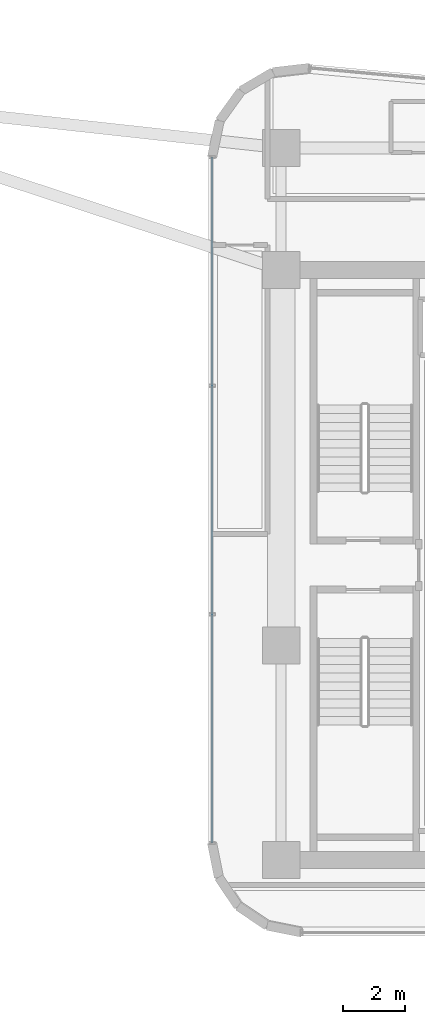
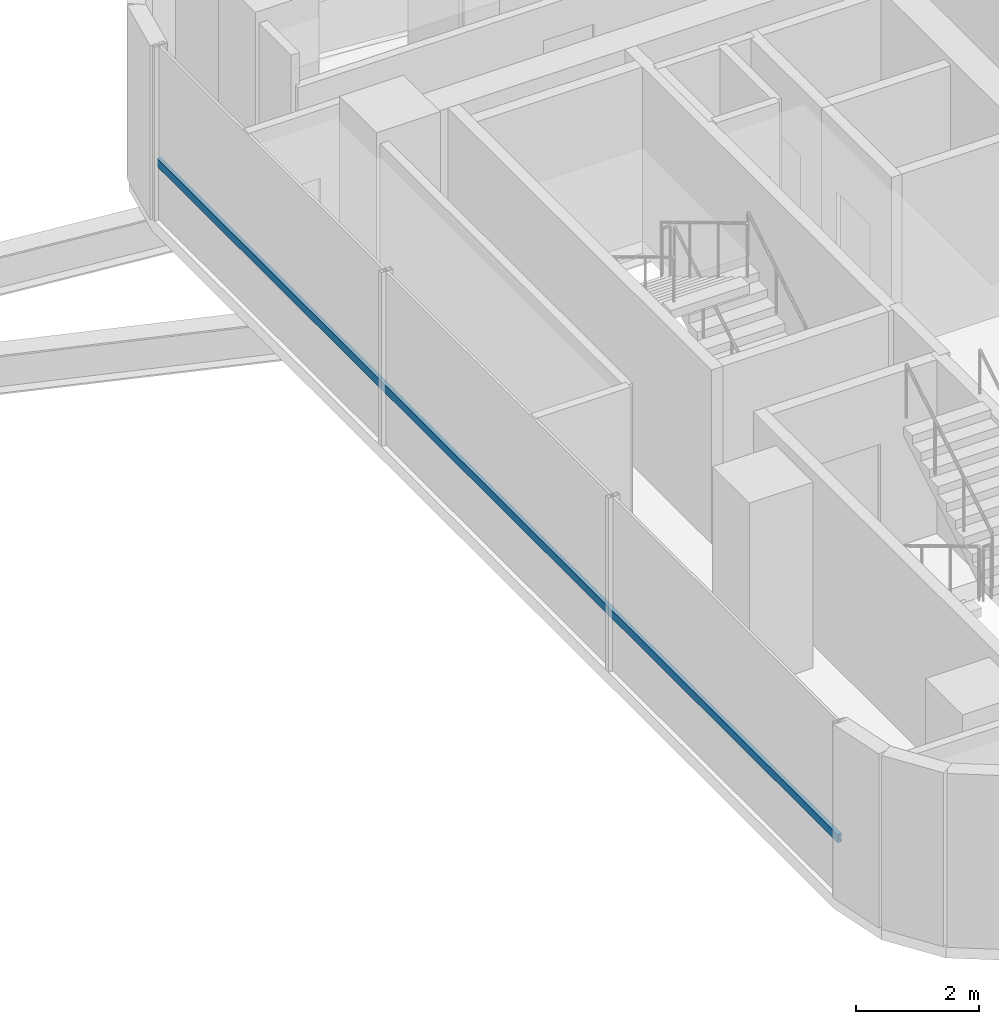
# One storey, part 14 of 36: 1 member, 1 element without a shape of its own.
"""IFC4 building model written with IfcOpenShell, lengths in metres."""

from ifc_helpers import new_model, si_unit, direction, frame, origin, origin_2d, place, context, subcontext, project, spatial, hollow_rectangle, extrude, source, transform, mapped, material, material_profile, profile_set, type_object, element, aggregate, save


model = new_model("IFC4")

# Units and contexts
model_context = context("Model", 3, precision=1e-05, world=origin(), true_north=direction((0.0, 1.0)))
body_context = subcontext(model_context, "Body", "Model", "MODEL_VIEW")
ifc_project = project(units=[si_unit("LENGTHUNIT", "METRE"), si_unit("AREAUNIT", "SQUARE_METRE"), si_unit("VOLUMEUNIT", "CUBIC_METRE"), si_unit("PLANEANGLEUNIT", "RADIAN"), si_unit("MASSUNIT", "GRAM", prefix="KILO")], contexts=[model_context])

# Site, building, storey
site_placement = place(None, origin())
site = spatial("IfcSite", under=ifc_project, at=site_placement, CompositionType="ELEMENT")
building_placement = place(site_placement, origin())
building = spatial("IfcBuilding", under=site, at=building_placement, Name="Valdorenza Pilgrim Sanctuary Tower", CompositionType="ELEMENT")
storey_placement = place(building_placement, frame((0.0, 0.0, 153.800048828125)))
storey = spatial("IfcBuildingStorey", under=building, at=storey_placement, Name="L39", CompositionType="ELEMENT", Elevation=153.800048828125)

# Curtain wall, member
ifc_material_1 = material(Name="Curtain-wall IGU glazing", Category="glass")
curtain_wall_type = type_object("IfcCurtainWallType", Name="CW-SYS-03", PredefinedType="NOTDEFINED", material=ifc_material_1)
curtain_wall_placement = place(storey_placement, origin())
curtain_wall = element("IfcCurtainWall", 1, at=curtain_wall_placement, inside=storey, type_object=curtain_wall_type, Name="L39 Curtain Wall CW-L39-2-1", PredefinedType="NOTDEFINED")
ifc_material_2 = material(Name="Anodised aluminium AW-6060", Category="aluminium")
ifc_material_profile = material_profile(ifc_material_2, hollow_rectangle(XDim=0.074951171875, YDim=0.159912109375, WallThickness=0.00390625, at=origin_2d()), Name="ALU-T 160x75x4")
ifc_profile_set = profile_set([ifc_material_profile], Name="Anodised aluminium AW-6060")
member_type = type_object("IfcMemberType", Name="CW-TRN-03", PredefinedType="USERDEFINED", material=ifc_profile_set)
shared_shape = source(origin(), body_context, "Body", "SweptSolid", [
    extrude(hollow_rectangle(XDim=0.074951171875, YDim=0.159912109375, WallThickness=0.00390625, at=origin_2d()), origin(), (0.0, 0.0, 1.0), 22.18896484375),
])
member_placement = place(storey_placement, frame((13.610107421875, -8.9892578125, 1.119873046875), z_axis=(0.0, 1.0, 0.0), x_axis=(-1.0, 0.0, 0.0)))
member = element("IfcMember", 2, at=member_placement, type_object=member_type, Name="CW-L39-2-1 Transom 1", ObjectType="TRANSOM", PredefinedType="USERDEFINED", context=body_context, shape_type="MappedRepresentation", body=[
    mapped(shared_shape, transform((0.0, 0.0, 0.0), x_axis=(1.0, 0.0, 0.0), y_axis=(0.0, 1.0, 0.0), z_axis=(0.0, 0.0, 1.0), scale=1.0)),
])
aggregate(curtain_wall, [member])

save(model, "model.ifc")
